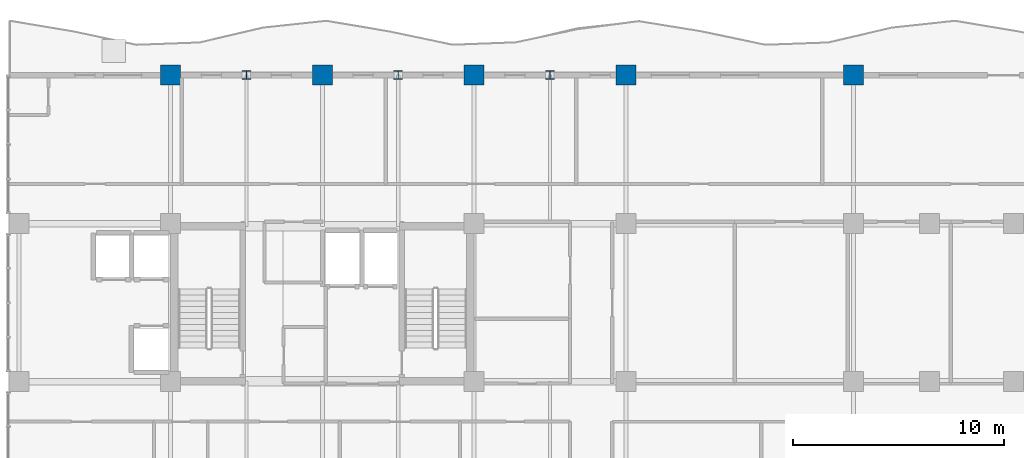
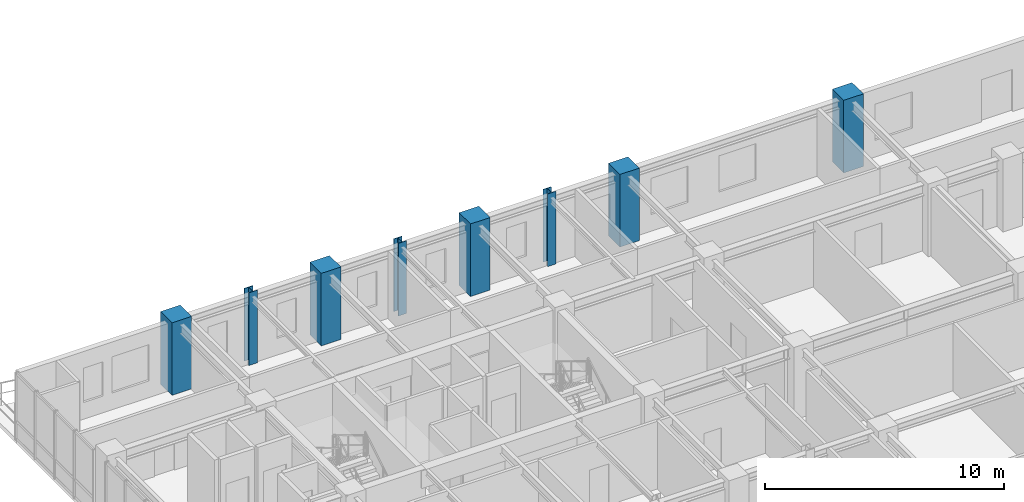
# One storey, part 3 of 20: 8 columns.
"""IFC4 building model written with IfcOpenShell, lengths in metres."""

from ifc_helpers import new_model, si_unit, direction, frame, origin, origin_2d, place, context, subcontext, project, spatial, rectangle, i_section, extrude, source, transform, mapped, material, material_profile, profile_set, type_object, element, save


model = new_model("IFC4")

# Units and contexts
model_context = context("Model", 3, precision=1e-05, world=origin(), true_north=direction((0.0, 1.0)))
body_context = subcontext(model_context, "Body", "Model", "MODEL_VIEW")
ifc_project = project(units=[si_unit("LENGTHUNIT", "METRE"), si_unit("AREAUNIT", "SQUARE_METRE"), si_unit("VOLUMEUNIT", "CUBIC_METRE"), si_unit("PLANEANGLEUNIT", "RADIAN"), si_unit("MASSUNIT", "GRAM", prefix="KILO")], contexts=[model_context])

# Site, building, storey
site_placement = place(None, origin())
site = spatial("IfcSite", under=ifc_project, at=site_placement, CompositionType="ELEMENT")
building_placement = place(site_placement, origin())
building = spatial("IfcBuilding", under=site, at=building_placement, Name="Kaliganga Portal Commons", CompositionType="ELEMENT")
storey_placement = place(building_placement, frame((0.0, 0.0, 216.60009765625)))
storey = spatial("IfcBuildingStorey", under=building, at=storey_placement, Name="L55", CompositionType="ELEMENT", Elevation=216.60009765625)

# Columns
ifc_material_1 = material(Name="Concrete C50/60", Category="concrete")
ifc_material_profile_1 = material_profile(ifc_material_1, rectangle(XDim=0.949951171875, YDim=0.949951171875, at=origin_2d()), Name="RC 950x950")
ifc_profile_set_1 = profile_set([ifc_material_profile_1], Name="Concrete C50/60")
column_type_1 = type_object("IfcColumnType", Name="COL-MEGA-Z4", PredefinedType="COLUMN", material=ifc_profile_set_1)
shared_shape_1 = source(origin(), body_context, "Body", "SweptSolid", [
    extrude(rectangle(XDim=0.949951171875, YDim=0.949951171875, at=origin_2d()), origin(), (0.0, 0.0, 1.0), 3.699951171875),
])
for number, where, z_axis, x_axis, name in (
    (1, (14.39990234375, 43.199951171875, 0.0), (0.0, 0.0, 1.0), (1.0, 0.0, 0.0), "Column MC-05 L55"),
    (2, (21.60009765625, 43.199951171875, 0.0), (0.0, 0.0, 1.0), (1.0, 0.0, 0.0), "Column MC-05 L55"),
    (3, (28.800048828125, 43.199951171875, 0.0), (0.0, 0.0, 1.0), (1.0, 0.0, 0.0), "Column MC-05 L55"),
    (4, (36.0, 43.199951171875, 0.0), (0.0, 0.0, 1.0), (1.0, 0.0, 0.0), "Column MC-05 L55"),
    (5, (46.800048828125, 43.199951171875, 0.0), (0.0, 0.0, 1.0), (1.0, 0.0, 0.0), "Column MC-05 L55"),
):
    element("IfcColumn", number, at=place(storey_placement, frame(where, z_axis=z_axis, x_axis=x_axis)), inside=storey, type_object=column_type_1, Name=name, PredefinedType="COLUMN", context=body_context, shape_type="MappedRepresentation", body=[
        mapped(shared_shape_1, transform((0.0, 0.0, 0.0), x_axis=(1.0, 0.0, 0.0), y_axis=(0.0, 1.0, 0.0), z_axis=(0.0, 0.0, 1.0), scale=1.0)),
    ])
ifc_material_2 = material(Name="Structural steel S355J2", Category="steel")
ifc_material_profile_2 = material_profile(ifc_material_2, i_section(OverallWidth=0.39892578125, OverallDepth=0.39990234375, WebThickness=0.017333984375, FlangeThickness=0.0234375, FilletRadius=0.014892578125, at=origin_2d()), Name="HD 400x287")
ifc_profile_set_2 = profile_set([ifc_material_profile_2], Name="Structural steel S355J2 wide-flange")
column_type_2 = type_object("IfcColumnType", Name="COL-TUBE-B4", PredefinedType="COLUMN", material=ifc_profile_set_2)
shared_shape_2 = source(origin(), body_context, "Body", "SweptSolid", [
    extrude(i_section(OverallWidth=0.39892578125, OverallDepth=0.39990234375, WebThickness=0.017333984375, FlangeThickness=0.0234375, FilletRadius=0.014892578125, at=origin_2d()), origin(), (0.0, 0.0, 1.0), 3.699951171875),
])
for number, where, z_axis, x_axis, name in (
    (6, (18.0, 43.199951171875, 0.0), (0.0, 0.0, 1.0), (1.0, 0.0, 0.0), "Column TC-04 L55"),
    (7, (25.199951171875, 43.199951171875, 0.0), (0.0, 0.0, 1.0), (1.0, 0.0, 0.0), "Column TC-04 L55"),
    (8, (32.39990234375, 43.199951171875, 0.0), (0.0, 0.0, 1.0), (1.0, 0.0, 0.0), "Column TC-04 L55"),
):
    element("IfcColumn", number, at=place(storey_placement, frame(where, z_axis=z_axis, x_axis=x_axis)), inside=storey, type_object=column_type_2, Name=name, PredefinedType="COLUMN", context=body_context, shape_type="MappedRepresentation", body=[
        mapped(shared_shape_2, transform((0.0, 0.0, 0.0), x_axis=(1.0, 0.0, 0.0), y_axis=(0.0, 1.0, 0.0), z_axis=(0.0, 0.0, 1.0), scale=1.0)),
    ])

save(model, "model.ifc")
